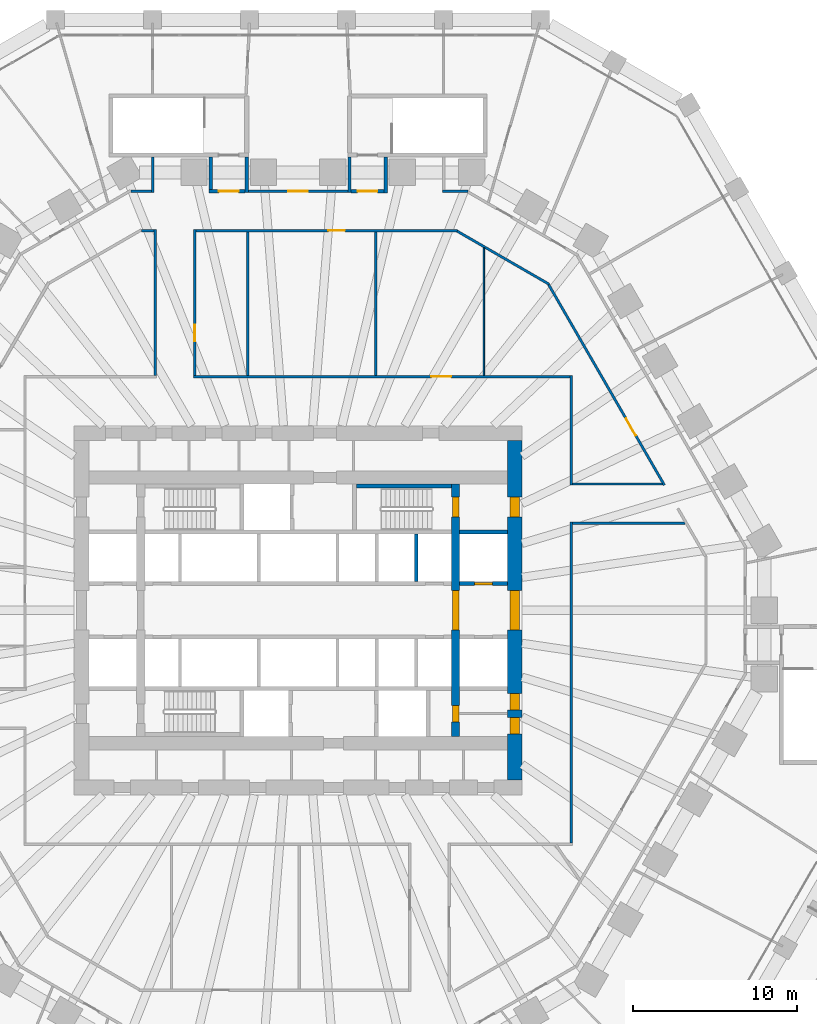
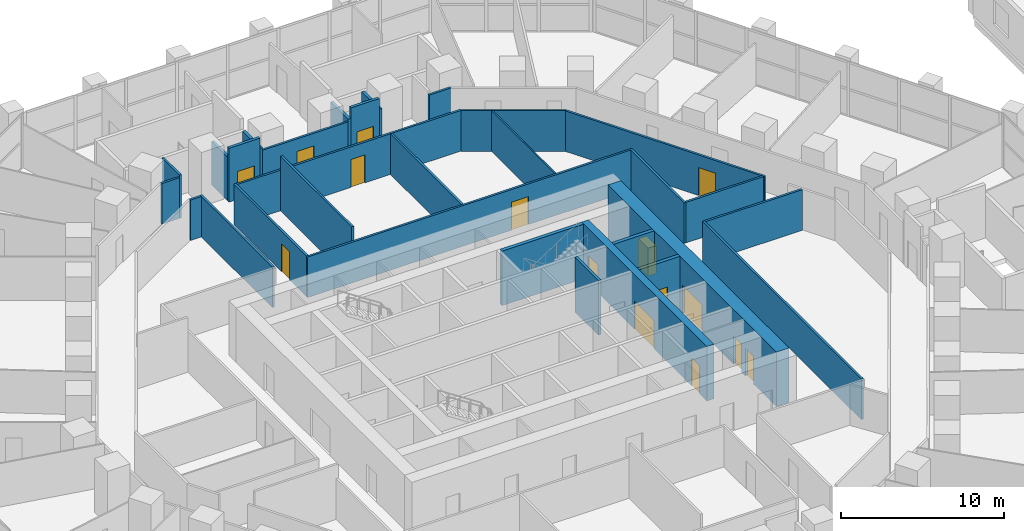
# One storey, part 23 of 38: 30 walls, 15 doors, 15 openings.
"""IFC4 building model written with IfcOpenShell, lengths in metres."""

from ifc_helpers import new_model, si_unit, direction, frame, frame_2d, origin, place, context, subcontext, project, spatial, rectangle, extrude, material, layer, layer_set, type_object, element, fill, save


model = new_model("IFC4")

# Units and contexts
model_context = context("Model", 3, precision=1e-05, world=origin(), true_north=direction((0.0, 1.0)))
body_context = subcontext(model_context, "Body", "Model", "MODEL_VIEW")
ifc_project = project(units=[si_unit("LENGTHUNIT", "METRE"), si_unit("AREAUNIT", "SQUARE_METRE"), si_unit("VOLUMEUNIT", "CUBIC_METRE"), si_unit("PLANEANGLEUNIT", "RADIAN"), si_unit("MASSUNIT", "GRAM", prefix="KILO")], contexts=[model_context])

# Site, building, storey
site_placement = place(None, origin())
site = spatial("IfcSite", under=ifc_project, at=site_placement, CompositionType="ELEMENT")
building_placement = place(site_placement, origin())
building = spatial("IfcBuilding", under=site, at=building_placement, Name="Frailejon Research Tower", CompositionType="ELEMENT")
storey_placement = place(building_placement, frame((0.0, 0.0, 10.199951171875)))
storey = spatial("IfcBuildingStorey", under=building, at=storey_placement, Name="L02", CompositionType="ELEMENT", Elevation=10.199951171875)

# Wall, openings, doors
ifc_material_1 = material(Name="Concrete C70/85", Category="concrete")
ifc_layer_1 = layer(ifc_material_1, 0.5)
ifc_layer_set_1 = layer_set([ifc_layer_1], Name="Core shear wall 500 C70/85")
wall_type_1 = type_object("IfcWallType", Name="Core shear wall 500 C70/85", PredefinedType="SHEAR", material=ifc_layer_set_1)
wall_1_placement = place(storey_placement, frame((9.60009765625, -7.699951171875, 0.0), z_axis=(0.0, 0.0, 1.0), x_axis=(0.0, 1.0, 0.0)))
wall_1 = element("IfcWall", 1, at=wall_1_placement, inside=storey, type_object=wall_type_1, Name="Core shear wall", PredefinedType="SHEAR", context=body_context, shape_type="SweptSolid", body=[
    extrude(rectangle(XDim=15.39990234375, YDim=0.5, at=frame_2d((7.699951171875, 0.0))), origin(), (0.0, 0.0, 1.0), 4.10009765625),
])
opening_1_placement = place(wall_1_placement, frame((6.5, 0.0, 0.0)))
opening_1 = element("IfcOpeningElement", 2, at=opening_1_placement, cuts=wall_1, Name="Opening D2", PredefinedType="OPENING", context=body_context, shape_type="SweptSolid", body=[
    extrude(rectangle(XDim=2.39990234375, YDim=2.10009765625, at=frame_2d((1.199951171875, 1.050048828125))), frame((0.0, 0.260009765625, 0.0), z_axis=(0.0, -1.0, 0.0), x_axis=(1.0, 0.0, 0.0)), (0.0, 0.0, 1.0), 0.52001953125),
])
opening_2_placement = place(wall_1_placement, frame((13.39990234375, 0.0, 0.0)))
opening_2 = element("IfcOpeningElement", 3, at=opening_2_placement, cuts=wall_1, Name="Opening D1", PredefinedType="OPENING", context=body_context, shape_type="SweptSolid", body=[
    extrude(rectangle(XDim=1.199951171875, YDim=2.10009765625, at=frame_2d((0.60009765625, 1.050048828125))), frame((0.0, 0.260009765625, 0.0), z_axis=(0.0, -1.0, 0.0), x_axis=(1.0, 0.0, 0.0)), (0.0, 0.0, 1.0), 0.52001953125),
])
opening_3_placement = place(wall_1_placement, frame((0.89990234375, 0.0, 0.0)))
opening_3 = element("IfcOpeningElement", 4, at=opening_3_placement, cuts=wall_1, Name="Opening D4", PredefinedType="OPENING", context=body_context, shape_type="SweptSolid", body=[
    extrude(rectangle(XDim=1.0, YDim=2.10009765625, at=frame_2d((0.5, 1.050048828125))), frame((0.0, 0.260009765625, 0.0), z_axis=(0.0, -1.0, 0.0), x_axis=(1.0, 0.0, 0.0)), (0.0, 0.0, 1.0), 0.52001953125),
])
ifc_material_2 = material(Name="Steel", Category="steel")
door_type_1 = type_object("IfcDoorType", Name="Lobby double door", OperationType="DOUBLE_DOOR_SINGLE_SWING", PredefinedType="DOOR", material=ifc_material_2)
door_1_placement = place(opening_1_placement, origin())
door_1 = element("IfcDoor", 5, at=door_1_placement, inside=storey, type_object=door_type_1, Name="Lobby door", OperationType="DOUBLE_DOOR_SINGLE_SWING", OverallHeight=2.10009765625, OverallWidth=2.39990234375, PredefinedType="DOOR", context=body_context, shape_type="SweptSolid", body=[
    extrude(rectangle(XDim=2.39990234375, YDim=2.10009765625, at=frame_2d((1.199951171875, 1.050048828125))), frame((0.0, 0.199951171875, 0.0), z_axis=(0.0, -1.0, 0.0), x_axis=(1.0, 0.0, 0.0)), (0.0, 0.0, 1.0), 0.39990234375),
])
fill(opening_1, door_1)
ifc_material_3 = material(Name="Steel", Category="steel")
door_type_2 = type_object("IfcDoorType", Name="Service door", OperationType="SINGLE_SWING_LEFT", PredefinedType="DOOR", material=ifc_material_3)
door_2_placement = place(opening_3_placement, origin())
door_2 = element("IfcDoor", 6, at=door_2_placement, inside=storey, type_object=door_type_2, Name="Riser door", OperationType="SINGLE_SWING_LEFT", OverallHeight=2.10009765625, OverallWidth=1.0, PredefinedType="DOOR", context=body_context, shape_type="SweptSolid", body=[
    extrude(rectangle(XDim=1.0, YDim=2.10009765625, at=frame_2d((0.5, 1.050048828125))), frame((0.0, 0.199951171875, 0.0), z_axis=(0.0, -1.0, 0.0), x_axis=(1.0, 0.0, 0.0)), (0.0, 0.0, 1.0), 0.39990234375),
])
fill(opening_3, door_2)
ifc_material_4 = material(Name="Steel", Category="steel")
door_type_3 = type_object("IfcDoorType", Name="Stair door", OperationType="SINGLE_SWING_LEFT", PredefinedType="DOOR", material=ifc_material_4)
door_3_placement = place(opening_2_placement, origin())
door_3 = element("IfcDoor", 7, at=door_3_placement, inside=storey, type_object=door_type_3, Name="Stair door ST3", OperationType="SINGLE_SWING_LEFT", OverallHeight=2.10009765625, OverallWidth=1.199951171875, PredefinedType="DOOR", context=body_context, shape_type="SweptSolid", body=[
    extrude(rectangle(XDim=1.199951171875, YDim=2.10009765625, at=frame_2d((0.60009765625, 1.050048828125))), frame((0.0, 0.199951171875, 0.0), z_axis=(0.0, -1.0, 0.0), x_axis=(1.0, 0.0, 0.0)), (0.0, 0.0, 1.0), 0.39990234375),
])
fill(opening_2, door_3)

ifc_material_5 = material(Name="Concrete C70/85", Category="concrete")
ifc_layer_2 = layer(ifc_material_5, 0.89990234375)
ifc_layer_set_2 = layer_set([ifc_layer_2], Name="Core shear wall 900 C70/85")
wall_type_2 = type_object("IfcWallType", Name="Core shear wall 900 C70/85", PredefinedType="SHEAR", material=ifc_layer_set_2)
wall_2_placement = place(storey_placement, frame((13.199951171875, -10.35009765625, 0.0), z_axis=(0.0, 0.0, 1.0), x_axis=(0.0, 1.0, 0.0)))
wall_2 = element("IfcWall", 8, at=wall_2_placement, inside=storey, type_object=wall_type_2, Name="Core shear wall", PredefinedType="SHEAR", context=body_context, shape_type="SweptSolid", body=[
    extrude(rectangle(XDim=20.7001953125, YDim=0.89990234375, at=frame_2d((10.35009765625, 0.0))), origin(), (0.0, 0.0, 1.0), 4.10009765625),
])
opening_4_placement = place(wall_2_placement, frame((9.14990234375, 0.0, 0.0)))
opening_4 = element("IfcOpeningElement", 9, at=opening_4_placement, cuts=wall_2, Name="Opening D2", PredefinedType="OPENING", context=body_context, shape_type="SweptSolid", body=[
    extrude(rectangle(XDim=2.39990234375, YDim=2.10009765625, at=frame_2d((1.199951171875, 1.050048828125))), frame((0.0, 0.4599609375, 0.0), z_axis=(0.0, -1.0, 0.0), x_axis=(1.0, 0.0, 0.0)), (0.0, 0.0, 1.0), 0.919921875),
])
opening_5_placement = place(wall_2_placement, frame((16.050048828125, 0.0, 0.0)))
opening_5 = element("IfcOpeningElement", 10, at=opening_5_placement, cuts=wall_2, Name="Opening D7", PredefinedType="OPENING", context=body_context, shape_type="SweptSolid", body=[
    extrude(rectangle(XDim=1.199951171875, YDim=2.10009765625, at=frame_2d((0.60009765625, 1.050048828125))), frame((0.0, 0.4599609375, 0.0), z_axis=(0.0, -1.0, 0.0), x_axis=(1.0, 0.0, 0.0)), (0.0, 0.0, 1.0), 0.919921875),
])
opening_6_placement = place(wall_2_placement, frame((2.81884765625, 0.0, 0.0)))
opening_6 = element("IfcOpeningElement", 11, at=opening_6_placement, cuts=wall_2, Name="Opening D4", PredefinedType="OPENING", context=body_context, shape_type="SweptSolid", body=[
    extrude(rectangle(XDim=1.0, YDim=2.10009765625, at=frame_2d((0.5, 1.050048828125))), frame((0.0, 0.4599609375, 0.0), z_axis=(0.0, -1.0, 0.0), x_axis=(1.0, 0.0, 0.0)), (0.0, 0.0, 1.0), 0.919921875),
])
opening_7_placement = place(wall_2_placement, frame((4.28125, 0.0, 0.0)))
opening_7 = element("IfcOpeningElement", 12, at=opening_7_placement, cuts=wall_2, Name="Opening D4", PredefinedType="OPENING", context=body_context, shape_type="SweptSolid", body=[
    extrude(rectangle(XDim=1.0, YDim=2.10009765625, at=frame_2d((0.5, 1.050048828125))), frame((0.0, 0.4599609375, 0.0), z_axis=(0.0, -1.0, 0.0), x_axis=(1.0, 0.0, 0.0)), (0.0, 0.0, 1.0), 0.919921875),
])
door_4_placement = place(opening_4_placement, origin())
door_4 = element("IfcDoor", 13, at=door_4_placement, inside=storey, type_object=door_type_1, Name="Lobby door", OperationType="DOUBLE_DOOR_SINGLE_SWING", OverallHeight=2.10009765625, OverallWidth=2.39990234375, PredefinedType="DOOR", context=body_context, shape_type="SweptSolid", body=[
    extrude(rectangle(XDim=2.39990234375, YDim=2.10009765625, at=frame_2d((1.199951171875, 1.050048828125))), frame((0.0, 0.300048828125, 0.0), z_axis=(0.0, -1.0, 0.0), x_axis=(1.0, 0.0, 0.0)), (0.0, 0.0, 1.0), 0.60009765625),
])
fill(opening_4, door_4)
door_5_placement = place(opening_6_placement, origin())
door_5 = element("IfcDoor", 14, at=door_5_placement, inside=storey, type_object=door_type_2, Name="Store door", OperationType="SINGLE_SWING_RIGHT", OverallHeight=2.10009765625, OverallWidth=1.0, PredefinedType="DOOR", context=body_context, shape_type="SweptSolid", body=[
    extrude(rectangle(XDim=1.0, YDim=2.10009765625, at=frame_2d((0.5, 1.050048828125))), frame((0.0, 0.300048828125, 0.0), z_axis=(0.0, -1.0, 0.0), x_axis=(1.0, 0.0, 0.0)), (0.0, 0.0, 1.0), 0.60009765625),
])
fill(opening_6, door_5)
door_6_placement = place(opening_7_placement, origin())
door_6 = element("IfcDoor", 15, at=door_6_placement, inside=storey, type_object=door_type_2, Name="Store door", OperationType="SINGLE_SWING_LEFT", OverallHeight=2.10009765625, OverallWidth=1.0, PredefinedType="DOOR", context=body_context, shape_type="SweptSolid", body=[
    extrude(rectangle(XDim=1.0, YDim=2.10009765625, at=frame_2d((0.5, 1.050048828125))), frame((0.0, 0.300048828125, 0.0), z_axis=(0.0, -1.0, 0.0), x_axis=(1.0, 0.0, 0.0)), (0.0, 0.0, 1.0), 0.60009765625),
])
fill(opening_7, door_6)
ifc_material_6 = material(Name="Steel", Category="steel")
door_type_4 = type_object("IfcDoorType", Name="Stair exit door", OperationType="SINGLE_SWING_LEFT", PredefinedType="DOOR", material=ifc_material_6)
door_7_placement = place(opening_5_placement, origin())
door_7 = element("IfcDoor", 16, at=door_7_placement, inside=storey, type_object=door_type_4, Name="Stair exit door ST3", OperationType="SINGLE_SWING_RIGHT", OverallHeight=2.10009765625, OverallWidth=1.199951171875, PredefinedType="DOOR", context=body_context, shape_type="SweptSolid", body=[
    extrude(rectangle(XDim=1.199951171875, YDim=2.10009765625, at=frame_2d((0.60009765625, 1.050048828125))), frame((0.0, 0.300048828125, 0.0), z_axis=(0.0, -1.0, 0.0), x_axis=(1.0, 0.0, 0.0)), (0.0, 0.0, 1.0), 0.60009765625),
])
fill(opening_5, door_7)

# Wall
ifc_material_7 = material(Name="Gypsum board and masonry partition", Category="masonry")
ifc_layer_3 = layer(ifc_material_7, 0.14990234375)
ifc_layer_set_3 = layer_set([ifc_layer_3], Name="Corridor wall EI 60, gypsum on steel studs 150")
wall_type_3 = type_object("IfcWallType", Name="Corridor wall EI 60, gypsum on steel studs 150", PredefinedType="PARTITIONING", material=ifc_layer_set_3)
wall_3_placement = place(storey_placement, frame((16.72509765625, 7.699951171875, 0.0), z_axis=(0.0, 0.0, 1.0), x_axis=(1.0, 0.0, 0.0)))
element("IfcWall", 17, at=wall_3_placement, inside=storey, type_object=wall_type_3, Name="T:IW:L02:001", PredefinedType="PARTITIONING", context=body_context, shape_type="SweptSolid", body=[
    extrude(rectangle(XDim=5.485595703125, YDim=0.14990234375, at=frame_2d((2.74267578125, 0.0))), origin(), (0.0, 0.0, 1.0), 3.050048828125),
])

# Wall, opening, door
wall_4_placement = place(storey_placement, frame((15.271728515625, 19.8486328125, 0.0), z_axis=(0.0, 0.0, 1.0), x_axis=(0.499998676775, -0.866026167747, 0.0)))
wall_4 = element("IfcWall", 18, at=wall_4_placement, inside=storey, type_object=wall_type_3, Name="T:IW:L02:002", PredefinedType="PARTITIONING", context=body_context, shape_type="SweptSolid", body=[
    extrude(rectangle(XDim=14.10302734375, YDim=0.14990234375, at=frame_2d((7.051513671875, 0.0))), origin(), (0.0, 0.0, 1.0), 3.050048828125),
])
opening_8_placement = place(wall_4_placement, frame((9.42724609375, 0.0, 0.0)))
opening_8 = element("IfcOpeningElement", 19, at=opening_8_placement, cuts=wall_4, Name="Opening D1059", PredefinedType="OPENING", context=body_context, shape_type="SweptSolid", body=[
    extrude(rectangle(XDim=1.199951171875, YDim=2.10009765625, at=frame_2d((0.60009765625, 1.050048828125))), frame((0.0, 0.0849609375, 0.0), z_axis=(0.0, -1.0, 0.0), x_axis=(1.0, 0.0, 0.0)), (0.0, 0.0, 1.0), 0.169921875),
])
ifc_material_8 = material(Name="Timber door leaf", Category="wood")
door_type_5 = type_object("IfcDoorType", Name="Door single leaf, timber, steel frame 1200", OperationType="NOTDEFINED", PredefinedType="DOOR", material=ifc_material_8)
door_8_placement = place(opening_8_placement, origin())
door_8 = element("IfcDoor", 20, at=door_8_placement, inside=storey, type_object=door_type_5, Name="D1059", OperationType="DOUBLE_DOOR_SINGLE_SWING", OverallHeight=2.10009765625, OverallWidth=1.199951171875, PredefinedType="DOOR", context=body_context, shape_type="SweptSolid", body=[
    extrude(rectangle(XDim=1.199951171875, YDim=2.10009765625, at=frame_2d((0.60009765625, 1.050048828125))), frame((0.0, 0.02490234375, 0.0), z_axis=(0.0, -1.0, 0.0), x_axis=(1.0, 0.0, 0.0)), (0.0, 0.0, 1.0), 0.050048828125),
])
fill(opening_8, door_8)

# Walls
wall_5_placement = place(storey_placement, frame((16.72509765625, 5.300048828125, 0.0), z_axis=(0.0, 0.0, 1.0), x_axis=(1.0, 0.0, 0.0)))
element("IfcWall", 21, at=wall_5_placement, inside=storey, type_object=wall_type_3, Name="T:IW:L02:004", PredefinedType="PARTITIONING", context=body_context, shape_type="SweptSolid", body=[
    extrude(rectangle(XDim=6.871337890625, YDim=0.14990234375, at=frame_2d((3.435546875, 0.0))), origin(), (0.0, 0.0, 1.0), 3.050048828125),
])
wall_6_placement = place(storey_placement, frame((9.693603515625, 23.112548828125, 0.0), z_axis=(0.0, 0.0, 1.0), x_axis=(0.866024786089, -0.500001069878, 0.0)))
element("IfcWall", 22, at=wall_6_placement, inside=storey, type_object=wall_type_3, Name="T:IW:L02:008", PredefinedType="PARTITIONING", context=body_context, shape_type="SweptSolid", body=[
    extrude(rectangle(XDim=6.47265625, YDim=0.14990234375, at=frame_2d((3.236328125, 0.0))), origin(), (0.0, 0.0, 1.0), 3.050048828125),
])
wall_7_placement = place(storey_placement, frame((-9.5537109375, 23.14990234375, 0.0), z_axis=(0.0, 0.0, 1.0), x_axis=(1.0, 0.0, 0.0)))
element("IfcWall", 23, at=wall_7_placement, inside=storey, type_object=wall_type_3, Name="T:IW:L02:010", PredefinedType="PARTITIONING", context=body_context, shape_type="SweptSolid", body=[
    extrude(rectangle(XDim=0.77880859375, YDim=0.14990234375, at=frame_2d((0.389404296875, 0.0))), origin(), (0.0, 0.0, 1.0), 3.050048828125),
])

# Wall, opening, door
wall_8_placement = place(storey_placement, frame((-6.22509765625, 23.14990234375, 0.0), z_axis=(0.0, 0.0, 1.0), x_axis=(1.0, 0.0, 0.0)))
wall_8 = element("IfcWall", 24, at=wall_8_placement, inside=storey, type_object=wall_type_3, Name="T:IW:L02:011", PredefinedType="PARTITIONING", context=body_context, shape_type="SweptSolid", body=[
    extrude(rectangle(XDim=15.9287109375, YDim=0.14990234375, at=frame_2d((7.96435546875, 0.0))), origin(), (0.0, 0.0, 1.0), 3.050048828125),
])
opening_9_placement = place(wall_8_placement, frame((8.069580078125, 0.0, 0.0)))
opening_9 = element("IfcOpeningElement", 25, at=opening_9_placement, cuts=wall_8, Name="Opening D1065", PredefinedType="OPENING", context=body_context, shape_type="SweptSolid", body=[
    extrude(rectangle(XDim=1.0, YDim=2.10009765625, at=frame_2d((0.5, 1.050048828125))), frame((0.0, 0.0849609375, 0.0), z_axis=(0.0, -1.0, 0.0), x_axis=(1.0, 0.0, 0.0)), (0.0, 0.0, 1.0), 0.169921875),
])
ifc_material_9 = material(Name="Timber door leaf", Category="wood")
door_type_6 = type_object("IfcDoorType", Name="Door laboratory, timber, vision panel 1000", OperationType="NOTDEFINED", PredefinedType="DOOR", material=ifc_material_9)
door_9_placement = place(opening_9_placement, origin())
door_9 = element("IfcDoor", 26, at=door_9_placement, inside=storey, type_object=door_type_6, Name="D1065", OperationType="SINGLE_SWING_RIGHT", OverallHeight=2.10009765625, OverallWidth=1.0, PredefinedType="DOOR", context=body_context, shape_type="SweptSolid", body=[
    extrude(rectangle(XDim=1.0, YDim=2.10009765625, at=frame_2d((0.5, 1.050048828125))), frame((0.0, 0.02490234375, 0.0), z_axis=(0.0, -1.0, 0.0), x_axis=(1.0, 0.0, 0.0)), (0.0, 0.0, 1.0), 0.050048828125),
])
fill(opening_9, door_9)

# Wall
wall_9_placement = place(storey_placement, frame((-10.19677734375, 25.550048828125, 0.0), z_axis=(0.0, 0.0, 1.0), x_axis=(1.0, 0.0, 0.0)))
element("IfcWall", 27, at=wall_9_placement, inside=storey, type_object=wall_type_3, Name="T:IW:L02:014", PredefinedType="PARTITIONING", context=body_context, shape_type="SweptSolid", body=[
    extrude(rectangle(XDim=1.2509765625, YDim=0.14990234375, at=frame_2d((0.62548828125, 0.0))), origin(), (0.0, 0.0, 1.0), 3.050048828125),
])

# Wall, opening, door
wall_10_placement = place(storey_placement, frame((-3.031982421875, 25.550048828125, 0.0), z_axis=(0.0, 0.0, 1.0), x_axis=(1.0, 0.0, 0.0)))
wall_10 = element("IfcWall", 28, at=wall_10_placement, inside=storey, type_object=wall_type_3, Name="T:IW:L02:015", PredefinedType="PARTITIONING", context=body_context, shape_type="SweptSolid", body=[
    extrude(rectangle(XDim=6.06396484375, YDim=0.14990234375, at=frame_2d((3.031982421875, 0.0))), origin(), (0.0, 0.0, 1.0), 3.050048828125),
])
opening_10_placement = place(wall_10_placement, frame((2.431884765625, 0.0, 0.0)))
opening_10 = element("IfcOpeningElement", 29, at=opening_10_placement, cuts=wall_10, Name="Opening D1066", PredefinedType="OPENING", context=body_context, shape_type="SweptSolid", body=[
    extrude(rectangle(XDim=1.199951171875, YDim=2.10009765625, at=frame_2d((0.60009765625, 1.050048828125))), frame((0.0, 0.0849609375, 0.0), z_axis=(0.0, -1.0, 0.0), x_axis=(1.0, 0.0, 0.0)), (0.0, 0.0, 1.0), 0.169921875),
])
ifc_material_10 = material(Name="Timber door leaf", Category="wood")
door_type_7 = type_object("IfcDoorType", Name="Door laboratory, timber, vision panel 1200", OperationType="NOTDEFINED", PredefinedType="DOOR", material=ifc_material_10)
door_10_placement = place(opening_10_placement, origin())
door_10 = element("IfcDoor", 30, at=door_10_placement, inside=storey, type_object=door_type_7, Name="D1066", OperationType="DOUBLE_DOOR_SINGLE_SWING", OverallHeight=2.10009765625, OverallWidth=1.199951171875, PredefinedType="DOOR", context=body_context, shape_type="SweptSolid", body=[
    extrude(rectangle(XDim=1.199951171875, YDim=2.10009765625, at=frame_2d((0.60009765625, 1.050048828125))), frame((0.0, 0.02490234375, 0.0), z_axis=(0.0, -1.0, 0.0), x_axis=(1.0, 0.0, 0.0)), (0.0, 0.0, 1.0), 0.050048828125),
])
fill(opening_10, door_10)

# Walls
wall_11_placement = place(storey_placement, frame((8.7958984375, 25.550048828125, 0.0), z_axis=(0.0, 0.0, 1.0), x_axis=(1.0, 0.0, 0.0)))
element("IfcWall", 31, at=wall_11_placement, inside=storey, type_object=wall_type_3, Name="T:IW:L02:016", PredefinedType="PARTITIONING", context=body_context, shape_type="SweptSolid", body=[
    extrude(rectangle(XDim=1.55078125, YDim=0.14990234375, at=frame_2d((0.775390625, 0.0))), origin(), (0.0, 0.0, 1.0), 3.050048828125),
])
wall_12_placement = place(storey_placement, frame((-8.870849609375, 25.47509765625, 0.0), z_axis=(0.0, 0.0, 1.0), x_axis=(0.0, 1.0, 0.0)))
element("IfcWall", 32, at=wall_12_placement, inside=storey, type_object=wall_type_3, Name="T:IW:L02:019", PredefinedType="PARTITIONING", context=body_context, shape_type="SweptSolid", body=[
    extrude(rectangle(XDim=2.14990234375, YDim=0.14990234375, at=frame_2d((1.074951171875, 0.0))), origin(), (0.0, 0.0, 1.0), 3.25),
])

# Wall, opening, door
wall_13_placement = place(storey_placement, frame((-6.300048828125, 14.324951171875, 0.0), z_axis=(0.0, 0.0, 1.0), x_axis=(0.0, 1.0, 0.0)))
wall_13 = element("IfcWall", 33, at=wall_13_placement, inside=storey, type_object=wall_type_3, Name="T:IW:L02:039", PredefinedType="PARTITIONING", context=body_context, shape_type="SweptSolid", body=[
    extrude(rectangle(XDim=8.900146484375, YDim=0.14990234375, at=frame_2d((4.4501953125, 0.0))), origin(), (0.0, 0.0, 1.0), 3.050048828125),
])
opening_11_placement = place(wall_13_placement, frame((2.074951171875, 0.0, 0.0)))
opening_11 = element("IfcOpeningElement", 34, at=opening_11_placement, cuts=wall_13, Name="Opening D1068", PredefinedType="OPENING", context=body_context, shape_type="SweptSolid", body=[
    extrude(rectangle(XDim=1.0, YDim=2.10009765625, at=frame_2d((0.5, 1.050048828125))), frame((0.0, 0.0849609375, 0.0), z_axis=(0.0, -1.0, 0.0), x_axis=(1.0, 0.0, 0.0)), (0.0, 0.0, 1.0), 0.169921875),
])
ifc_material_11 = material(Name="Timber door leaf", Category="wood")
door_type_8 = type_object("IfcDoorType", Name="Door single leaf, timber, steel frame 1000", OperationType="NOTDEFINED", PredefinedType="DOOR", material=ifc_material_11)
door_11_placement = place(opening_11_placement, origin())
door_11 = element("IfcDoor", 35, at=door_11_placement, inside=storey, type_object=door_type_8, Name="D1068", OperationType="SINGLE_SWING_RIGHT", OverallHeight=2.10009765625, OverallWidth=1.0, PredefinedType="DOOR", context=body_context, shape_type="SweptSolid", body=[
    extrude(rectangle(XDim=1.0, YDim=2.10009765625, at=frame_2d((0.5, 1.050048828125))), frame((0.0, 0.02490234375, 0.0), z_axis=(0.0, -1.0, 0.0), x_axis=(1.0, 0.0, 0.0)), (0.0, 0.0, 1.0), 0.050048828125),
])
fill(opening_11, door_11)

# Wall
wall_14_placement = place(storey_placement, frame((-8.699951171875, 14.324951171875, 0.0), z_axis=(0.0, 0.0, 1.0), x_axis=(0.0, 1.0, 0.0)))
element("IfcWall", 36, at=wall_14_placement, inside=storey, type_object=wall_type_3, Name="T:IW:L02:040", PredefinedType="PARTITIONING", context=body_context, shape_type="SweptSolid", body=[
    extrude(rectangle(XDim=8.900146484375, YDim=0.14990234375, at=frame_2d((4.4501953125, 0.0))), origin(), (0.0, 0.0, 1.0), 3.050048828125),
])

# Wall, opening, door
wall_15_placement = place(storey_placement, frame((-6.375, 14.25, 0.0), z_axis=(0.0, 0.0, 1.0), x_axis=(1.0, 0.0, 0.0)))
wall_15 = element("IfcWall", 37, at=wall_15_placement, inside=storey, type_object=wall_type_3, Name="T:IW:L02:042", PredefinedType="PARTITIONING", context=body_context, shape_type="SweptSolid", body=[
    extrude(rectangle(XDim=22.949951171875, YDim=0.14990234375, at=frame_2d((11.47509765625, 0.0))), origin(), (0.0, 0.0, 1.0), 3.050048828125),
])
opening_12_placement = place(wall_15_placement, frame((14.49951171875, 0.0, 0.0)))
opening_12 = element("IfcOpeningElement", 38, at=opening_12_placement, cuts=wall_15, Name="Opening D1062", PredefinedType="OPENING", context=body_context, shape_type="SweptSolid", body=[
    extrude(rectangle(XDim=1.199951171875, YDim=2.10009765625, at=frame_2d((0.60009765625, 1.050048828125))), frame((0.0, 0.0849609375, 0.0), z_axis=(0.0, -1.0, 0.0), x_axis=(1.0, 0.0, 0.0)), (0.0, 0.0, 1.0), 0.169921875),
])
door_12_placement = place(opening_12_placement, origin())
door_12 = element("IfcDoor", 39, at=door_12_placement, inside=storey, type_object=door_type_5, Name="D1062", OperationType="DOUBLE_DOOR_SINGLE_SWING", OverallHeight=2.10009765625, OverallWidth=1.199951171875, PredefinedType="DOOR", context=body_context, shape_type="SweptSolid", body=[
    extrude(rectangle(XDim=1.199951171875, YDim=2.10009765625, at=frame_2d((0.60009765625, 1.050048828125))), frame((0.0, 0.02490234375, 0.0), z_axis=(0.0, -1.0, 0.0), x_axis=(1.0, 0.0, 0.0)), (0.0, 0.0, 1.0), 0.050048828125),
])
fill(opening_12, door_12)

# Walls
wall_16_placement = place(storey_placement, frame((16.64990234375, -14.175048828125, 0.0), z_axis=(0.0, 0.0, 1.0), x_axis=(0.0, 1.0, 0.0)))
element("IfcWall", 40, at=wall_16_placement, inside=storey, type_object=wall_type_3, Name="T:IW:L02:043", PredefinedType="PARTITIONING", context=body_context, shape_type="SweptSolid", body=[
    extrude(rectangle(XDim=19.550048828125, YDim=0.14990234375, at=frame_2d((9.77490234375, 0.0))), origin(), (0.0, 0.0, 1.0), 3.050048828125),
])
wall_17_placement = place(storey_placement, frame((16.64990234375, 7.625, 0.0), z_axis=(0.0, 0.0, 1.0), x_axis=(0.0, 1.0, 0.0)))
element("IfcWall", 41, at=wall_17_placement, inside=storey, type_object=wall_type_3, Name="T:IW:L02:044", PredefinedType="PARTITIONING", context=body_context, shape_type="SweptSolid", body=[
    extrude(rectangle(XDim=6.699951171875, YDim=0.14990234375, at=frame_2d((3.35009765625, 0.0))), origin(), (0.0, 0.0, 1.0), 3.050048828125),
])
ifc_material_12 = material(Name="Gypsum board and masonry partition", Category="masonry")
ifc_layer_4 = layer(ifc_material_12, 0.199951171875)
ifc_layer_set_4 = layer_set([ifc_layer_4], Name="Enclosure wall EI 120, blockwork 200")
wall_type_4 = type_object("IfcWallType", Name="Enclosure wall EI 120, blockwork 200", PredefinedType="PARTITIONING", material=ifc_layer_set_4)
wall_18_placement = place(storey_placement, frame((-5.33203125, 25.64990234375, 0.0), z_axis=(0.0, 0.0, 1.0), x_axis=(0.0, 1.0, 0.0)))
element("IfcWall", 42, at=wall_18_placement, inside=storey, type_object=wall_type_4, Name="T:IW:L02:054", PredefinedType="PARTITIONING", context=body_context, shape_type="SweptSolid", body=[
    extrude(rectangle(XDim=1.97509765625, YDim=0.199951171875, at=frame_2d((0.987548828125, 0.0))), origin(), (0.0, 0.0, 1.0), 3.25),
])

# Wall, opening, door
wall_19_placement = place(storey_placement, frame((-5.431884765625, 25.5498046875, 0.0), z_axis=(0.0, 0.0, 1.0), x_axis=(1.0, 0.0, 0.0)))
wall_19 = element("IfcWall", 43, at=wall_19_placement, inside=storey, type_object=wall_type_4, Name="T:IW:L02:055", PredefinedType="PARTITIONING", context=body_context, shape_type="SweptSolid", body=[
    extrude(rectangle(XDim=2.199951171875, YDim=0.199951171875, at=frame_2d((1.10009765625, 0.0))), origin(), (0.0, 0.0, 1.0), 4.050048828125),
])
opening_13_placement = place(wall_19_placement, frame((0.60009765625, 0.0, 0.0)))
opening_13 = element("IfcOpeningElement", 44, at=opening_13_placement, cuts=wall_19, Name="Opening PSD26", PredefinedType="OPENING", context=body_context, shape_type="SweptSolid", body=[
    extrude(rectangle(XDim=1.199951171875, YDim=2.10009765625, at=frame_2d((0.60009765625, 1.050048828125))), frame((0.0, 0.10986328125, 0.0), z_axis=(0.0, -1.0, 0.0), x_axis=(1.0, 0.0, 0.0)), (0.0, 0.0, 1.0), 0.219970703125),
])
ifc_material_13 = material(Name="Steel door leaf", Category="steel")
door_type_9 = type_object("IfcDoorType", Name="Door exit passage, steel, fire rated 1200", OperationType="NOTDEFINED", PredefinedType="DOOR", material=ifc_material_13)
door_13_placement = place(opening_13_placement, origin())
door_13 = element("IfcDoor", 45, at=door_13_placement, inside=storey, type_object=door_type_9, Name="PSD26", OperationType="SINGLE_SWING_LEFT", OverallHeight=2.10009765625, OverallWidth=1.199951171875, PredefinedType="DOOR", context=body_context, shape_type="SweptSolid", body=[
    extrude(rectangle(XDim=1.199951171875, YDim=2.10009765625, at=frame_2d((0.60009765625, 1.050048828125))), frame((0.0, 0.02490234375, 0.0), z_axis=(0.0, -1.0, 0.0), x_axis=(1.0, 0.0, 0.0)), (0.0, 0.0, 1.0), 0.050048828125),
])
fill(opening_13, door_13)

wall_20_placement = place(storey_placement, frame((3.23193359375, 25.5498046875, 0.0), z_axis=(0.0, 0.0, 1.0), x_axis=(1.0, 0.0, 0.0)))
wall_20 = element("IfcWall", 46, at=wall_20_placement, inside=storey, type_object=wall_type_4, Name="T:IW:L02:056", PredefinedType="PARTITIONING", context=body_context, shape_type="SweptSolid", body=[
    extrude(rectangle(XDim=2.0, YDim=0.199951171875, at=frame_2d((1.0, 0.0))), origin(), (0.0, 0.0, 1.0), 4.050048828125),
])
opening_14_placement = place(wall_20_placement, frame((0.39990234375, 0.0, 0.0)))
opening_14 = element("IfcOpeningElement", 47, at=opening_14_placement, cuts=wall_20, Name="Opening PSD28", PredefinedType="OPENING", context=body_context, shape_type="SweptSolid", body=[
    extrude(rectangle(XDim=1.199951171875, YDim=2.10009765625, at=frame_2d((0.60009765625, 1.050048828125))), frame((0.0, 0.10986328125, 0.0), z_axis=(0.0, -1.0, 0.0), x_axis=(1.0, 0.0, 0.0)), (0.0, 0.0, 1.0), 0.219970703125),
])
door_14_placement = place(opening_14_placement, origin())
door_14 = element("IfcDoor", 48, at=door_14_placement, inside=storey, type_object=door_type_9, Name="PSD28", OperationType="SINGLE_SWING_LEFT", OverallHeight=2.10009765625, OverallWidth=1.199951171875, PredefinedType="DOOR", context=body_context, shape_type="SweptSolid", body=[
    extrude(rectangle(XDim=1.199951171875, YDim=2.10009765625, at=frame_2d((0.60009765625, 1.050048828125))), frame((0.0, 0.02490234375, 0.0), z_axis=(0.0, -1.0, 0.0), x_axis=(1.0, 0.0, 0.0)), (0.0, 0.0, 1.0), 0.050048828125),
])
fill(opening_14, door_14)

# Walls
wall_21_placement = place(storey_placement, frame((5.33203125, 25.449951171875, 0.0), z_axis=(0.0, 0.0, 1.0), x_axis=(0.0, 1.0, 0.0)))
element("IfcWall", 49, at=wall_21_placement, inside=storey, type_object=wall_type_4, Name="T:IW:L02:058", PredefinedType="PARTITIONING", context=body_context, shape_type="SweptSolid", body=[
    extrude(rectangle(XDim=2.175048828125, YDim=0.199951171875, at=frame_2d((1.08740234375, 0.0))), origin(), (0.0, 0.0, 1.0), 3.25),
])
for number, where, z_axis, x_axis, name in (
    (50, (-3.132080078125, 25.47509765625, 0.0), (0.0, 0.0, 1.0), (0.0, 1.0, 0.0), "T:IW:L02:064"),
    (51, (3.132080078125, 25.47509765625, 0.0), (0.0, 0.0, 1.0), (0.0, 1.0, 0.0), "T:IW:L02:066"),
):
    element("IfcWall", number, at=place(storey_placement, frame(where, z_axis=z_axis, x_axis=x_axis)), inside=storey, type_object=wall_type_4, Name=name, PredefinedType="PARTITIONING", context=body_context, shape_type="SweptSolid", body=[
        extrude(rectangle(XDim=2.14990234375, YDim=0.199951171875, at=frame_2d((1.074951171875, 0.0))), origin(), (0.0, 0.0, 1.0), 3.25),
    ])
ifc_material_14 = material(Name="Gypsum board and masonry partition", Category="masonry")
ifc_layer_5 = layer(ifc_material_14, 0.14990234375)
ifc_layer_set_5 = layer_set([ifc_layer_5], Name="Laboratory partition, blockwork 150")
wall_type_5 = type_object("IfcWallType", Name="Laboratory partition, blockwork 150", PredefinedType="PARTITIONING", material=ifc_layer_set_5)
wall_22_placement = place(storey_placement, frame((4.719482421875, 14.324951171875, 0.0), z_axis=(0.0, 0.0, 1.0), x_axis=(0.0, 1.0, 0.0)))
element("IfcWall", 52, at=wall_22_placement, inside=storey, type_object=wall_type_5, Name="T:IW:L02:070", PredefinedType="PARTITIONING", context=body_context, shape_type="SweptSolid", body=[
    extrude(rectangle(XDim=8.75, YDim=0.14990234375, at=frame_2d((4.375, 0.0))), origin(), (0.0, 0.0, 1.0), 3.050048828125),
])
wall_23_placement = place(storey_placement, frame((-3.08056640625, 14.324951171875, 0.0), z_axis=(0.0, 0.0, 1.0), x_axis=(0.0, 1.0, 0.0)))
element("IfcWall", 53, at=wall_23_placement, inside=storey, type_object=wall_type_5, Name="T:IW:L02:072", PredefinedType="PARTITIONING", context=body_context, shape_type="SweptSolid", body=[
    extrude(rectangle(XDim=8.75, YDim=0.14990234375, at=frame_2d((4.375, 0.0))), origin(), (0.0, 0.0, 1.0), 4.10009765625),
])
ifc_material_15 = material(Name="Gypsum board and masonry partition", Category="masonry")
ifc_layer_6 = layer(ifc_material_15, 0.10009765625)
ifc_layer_set_6 = layer_set([ifc_layer_6], Name="Partition, gypsum on steel studs 100")
wall_type_6 = type_object("IfcWallType", Name="Partition, gypsum on steel studs 100", PredefinedType="PARTITIONING", material=ifc_layer_set_6)
wall_24_placement = place(storey_placement, frame((11.319580078125, 14.324951171875, 0.0), z_axis=(0.0, 0.0, 1.0), x_axis=(0.0, 1.0, 0.0)))
element("IfcWall", 54, at=wall_24_placement, inside=storey, type_object=wall_type_6, Name="T:IW:L02:083", PredefinedType="PARTITIONING", context=body_context, shape_type="SweptSolid", body=[
    extrude(rectangle(XDim=7.77392578125, YDim=0.10009765625, at=frame_2d((3.886962890625, 0.0))), origin(), (0.0, 0.0, 1.0), 3.050048828125),
])
ifc_material_16 = material(Name="Concrete C70/85", Category="concrete")
ifc_layer_7 = layer(ifc_material_16, 0.199951171875)
ifc_layer_set_7 = layer_set([ifc_layer_7], Name="Shaft wall 200 C70/85")
wall_type_7 = type_object("IfcWallType", Name="Shaft wall 200 C70/85", PredefinedType="SOLIDWALL", material=ifc_layer_set_7)
wall_25_placement = place(storey_placement, frame((7.199951171875, 1.75, 0.0), z_axis=(0.0, 0.0, 1.0), x_axis=(0.0, 1.0, 0.0)))
element("IfcWall", 55, at=wall_25_placement, inside=storey, type_object=wall_type_7, Name="Shaft wall", PredefinedType="SOLIDWALL", context=body_context, shape_type="SweptSolid", body=[
    extrude(rectangle(XDim=2.89990234375, YDim=0.199951171875, at=frame_2d((1.449951171875, 0.0))), origin(), (0.0, 0.0, 1.0), 4.10009765625),
])

# Wall, opening, door
ifc_material_17 = material(Name="Concrete C70/85", Category="concrete")
ifc_layer_8 = layer(ifc_material_17, 0.25)
ifc_layer_set_8 = layer_set([ifc_layer_8], Name="Shaft wall 250 C70/85")
wall_type_8 = type_object("IfcWallType", Name="Shaft wall 250 C70/85", PredefinedType="SOLIDWALL", material=ifc_layer_set_8)
wall_26_placement = place(storey_placement, frame((9.85009765625, 1.625, 0.0), z_axis=(0.0, 0.0, 1.0), x_axis=(1.0, 0.0, 0.0)))
wall_26 = element("IfcWall", 56, at=wall_26_placement, inside=storey, type_object=wall_type_8, Name="Shaft wall", PredefinedType="SOLIDWALL", context=body_context, shape_type="SweptSolid", body=[
    extrude(rectangle(XDim=2.89990234375, YDim=0.25, at=frame_2d((1.449951171875, 0.0))), origin(), (0.0, 0.0, 1.0), 4.10009765625),
])
opening_15_placement = place(wall_26_placement, frame((0.89990234375, 0.0, 0.0)))
opening_15 = element("IfcOpeningElement", 57, at=opening_15_placement, cuts=wall_26, Name="Opening LD", PredefinedType="OPENING", context=body_context, shape_type="SweptSolid", body=[
    extrude(rectangle(XDim=1.10009765625, YDim=2.10009765625, at=frame_2d((0.550048828125, 1.050048828125))), frame((0.0, 0.135009765625, 0.0), z_axis=(0.0, -1.0, 0.0), x_axis=(1.0, 0.0, 0.0)), (0.0, 0.0, 1.0), 0.27001953125),
])
ifc_material_18 = material(Name="Steel", Category="steel")
door_type_10 = type_object("IfcDoorType", Name="Lift landing door", OperationType="DOUBLE_DOOR_SLIDING", PredefinedType="DOOR", material=ifc_material_18)
door_15_placement = place(opening_15_placement, origin())
door_15 = element("IfcDoor", 58, at=door_15_placement, inside=storey, type_object=door_type_10, Name="Lift landing door", OperationType="DOUBLE_DOOR_SLIDING", OverallHeight=2.10009765625, OverallWidth=1.10009765625, PredefinedType="DOOR", context=body_context, shape_type="SweptSolid", body=[
    extrude(rectangle(XDim=1.10009765625, YDim=2.10009765625, at=frame_2d((0.550048828125, 1.050048828125))), frame((0.0, 0.074951171875, 0.0), z_axis=(0.0, -1.0, 0.0), x_axis=(1.0, 0.0, 0.0)), (0.0, 0.0, 1.0), 0.14990234375),
])
fill(opening_15, door_15)

# Walls
wall_27_placement = place(storey_placement, frame((9.85009765625, 4.77490234375, 0.0), z_axis=(0.0, 0.0, 1.0), x_axis=(1.0, 0.0, 0.0)))
element("IfcWall", 59, at=wall_27_placement, inside=storey, type_object=wall_type_8, Name="Shaft wall", PredefinedType="SOLIDWALL", context=body_context, shape_type="SweptSolid", body=[
    extrude(rectangle(XDim=2.89990234375, YDim=0.25, at=frame_2d((1.449951171875, 0.0))), origin(), (0.0, 0.0, 1.0), 4.10009765625),
])
wall_28_placement = place(storey_placement, frame((3.550048828125, 7.574951171875, 0.0), z_axis=(0.0, 0.0, 1.0), x_axis=(1.0, 0.0, 0.0)))
element("IfcWall", 60, at=wall_28_placement, inside=storey, type_object=wall_type_8, Name="Shaft wall", PredefinedType="SOLIDWALL", context=body_context, shape_type="SweptSolid", body=[
    extrude(rectangle(XDim=5.800048828125, YDim=0.25, at=frame_2d((2.89990234375, 0.0))), origin(), (0.0, 0.0, 1.0), 4.10009765625),
])

save(model, "model.ifc")
